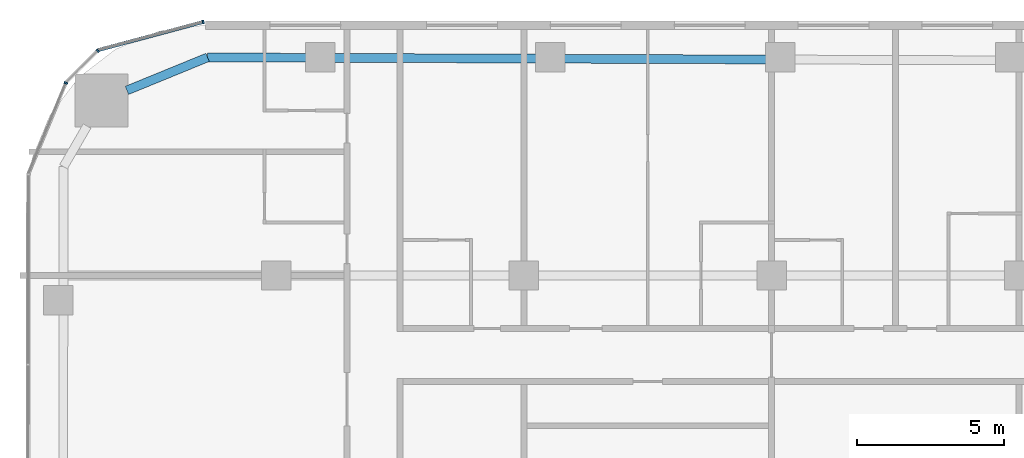
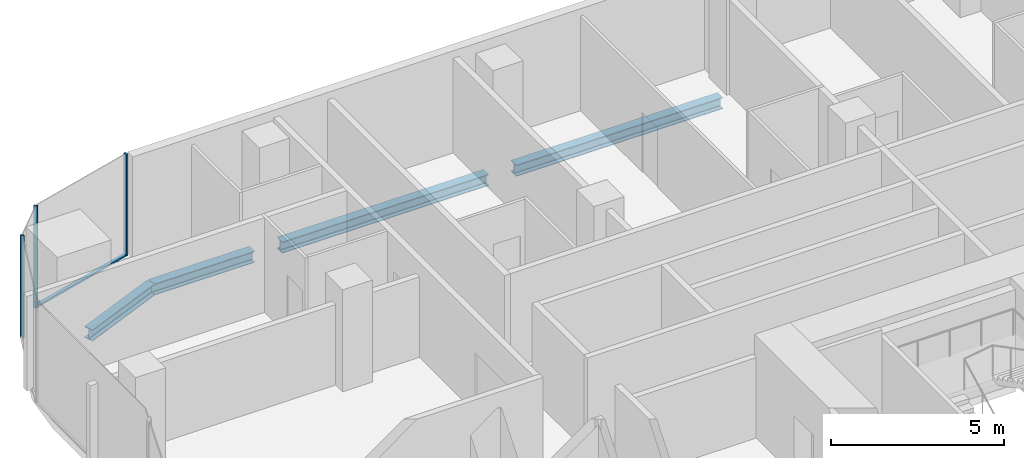
# One storey, part 10 of 26: 4 beams, 4 members, 3 elements without a shape of their own.
"""IFC4 building model written with IfcOpenShell, lengths in metres."""

from ifc_helpers import new_model, si_unit, direction, frame, origin, origin_2d, place, context, subcontext, project, spatial, rectangle, i_section, extrude, material, layer, layer_set, material_profile, profile_set, type_object, element, aggregate, save


model = new_model("IFC4")

# Units and contexts
model_context = context("Model", 3, precision=1e-05, world=origin(), true_north=direction((0.0, 1.0)))
body_context = subcontext(model_context, "Body", "Model", "MODEL_VIEW")
ifc_project = project(units=[si_unit("LENGTHUNIT", "METRE"), si_unit("AREAUNIT", "SQUARE_METRE"), si_unit("VOLUMEUNIT", "CUBIC_METRE"), si_unit("PLANEANGLEUNIT", "RADIAN"), si_unit("MASSUNIT", "GRAM", prefix="KILO")], contexts=[model_context])

# Site, building, storey
site_placement = place(None, origin())
site = spatial("IfcSite", under=ifc_project, at=site_placement, CompositionType="ELEMENT")
building_placement = place(site_placement, origin())
building = spatial("IfcBuilding", under=site, at=building_placement, Name="Marenta Gate Hotel Tower", CompositionType="ELEMENT")
storey_placement = place(building_placement, frame((0.0, 0.0, 79.699951171875)))
storey = spatial("IfcBuildingStorey", under=building, at=storey_placement, Name="L18", CompositionType="ELEMENT", Elevation=79.699951171875)

# Beams
ifc_material_1 = material(Name="Steel S355", Category="steel")
ifc_material_profile_1 = material_profile(ifc_material_1, i_section(OverallWidth=0.300048828125, OverallDepth=0.39990234375, WebThickness=0.013427734375, FlangeThickness=0.02392578125, FilletRadius=0.027099609375, at=origin_2d()), Name="HEB 400")
ifc_profile_set_1 = profile_set([ifc_material_profile_1], Name="Steel S355")
beam_type = type_object("IfcBeamType", Name="Edge beam HEB 400", PredefinedType="SPANDREL", material=ifc_profile_set_1)
beam_1_placement = place(storey_placement, frame((-26.072509765625, 31.47998046875, -0.4599609375), z_axis=(0.925545641603, 0.378636059177, 0.0), x_axis=(-0.378636059177, 0.925545641603, 0.0)))
element("IfcBeam", 1, at=beam_1_placement, inside=storey, type_object=beam_type, Name="L18-EB-12", PredefinedType="SPANDREL", context=body_context, shape_type="SweptSolid", body=[
    extrude(i_section(OverallWidth=0.300048828125, OverallDepth=0.39990234375, WebThickness=0.013427734375, FlangeThickness=0.02392578125, FilletRadius=0.027099609375, at=origin_2d()), origin(), (0.0, 0.0, 1.0), 2.958251953125),
])
beam_2_placement = place(storey_placement, frame((-23.33447265625, 32.60009765625, -0.4599609375), z_axis=(0.999992894549, -0.00376972818, 0.0), x_axis=(0.00376972818, 0.999992894549, 0.0)))
element("IfcBeam", 2, at=beam_2_placement, inside=storey, type_object=beam_type, Name="L18-EB-13", PredefinedType="SPANDREL", context=body_context, shape_type="SweptSolid", body=[
    extrude(i_section(OverallWidth=0.300048828125, OverallDepth=0.39990234375, WebThickness=0.013427734375, FlangeThickness=0.02392578125, FilletRadius=0.027099609375, at=origin_2d()), origin(), (0.0, 0.0, 1.0), 3.36767578125),
])
for number, where, z_axis, x_axis, name in (
    (3, (-19.046875, 32.583984375, -0.4599609375), (0.999993064268, -0.003724435008, 0.0), (0.003724435008, 0.999993064268, 0.0), "L18-EB-14"),
    (4, (-11.244140625, 32.554931640625, -0.4599609375), (0.999993064268, -0.003724435008, 0.0), (0.003724435008, 0.999993064268, 0.0), "L18-EB-15"),
):
    element("IfcBeam", number, at=place(storey_placement, frame(where, z_axis=z_axis, x_axis=x_axis)), inside=storey, type_object=beam_type, Name=name, PredefinedType="SPANDREL", context=body_context, shape_type="SweptSolid", body=[
        extrude(i_section(OverallWidth=0.300048828125, OverallDepth=0.39990234375, WebThickness=0.013427734375, FlangeThickness=0.02392578125, FilletRadius=0.027099609375, at=origin_2d()), origin(), (0.0, 0.0, 1.0), 6.8828125),
    ])

# Curtain wall, member
ifc_material_2 = material(Name="Tinted insulated glass in bronze anodised frame", Category="glass")
ifc_layer = layer(ifc_material_2, 0.1201171875)
ifc_layer_set = layer_set([ifc_layer], Name="Tinted insulated glass in bronze anodised frame")
curtain_wall_type = type_object("IfcCurtainWallType", Name="Tower unitised curtain wall CW1", PredefinedType="NOTDEFINED", material=ifc_layer_set)
curtain_wall_1_placement = place(storey_placement, origin())
curtain_wall_1 = element("IfcCurtainWall", 5, at=curtain_wall_1_placement, inside=storey, type_object=curtain_wall_type, Name="CW1 run G00", PredefinedType="NOTDEFINED")
ifc_material_3 = material(Name="Bronze anodised aluminium", Category="aluminium")
ifc_material_profile_2 = material_profile(ifc_material_3, rectangle(XDim=0.1201171875, YDim=0.06005859375, at=origin_2d()), Name="Mullion CW1 60x120 bronze anodised aluminium")
ifc_profile_set_2 = profile_set([ifc_material_profile_2], Name="Bronze anodised aluminium")
member_type_1 = type_object("IfcMemberType", Name="Mullion CW1 60x120 bronze anodised aluminium", PredefinedType="MULLION", material=ifc_profile_set_2)
member_1_placement = place(storey_placement, frame((-23.485595703125, 33.80322265625, 0.0), z_axis=(0.0, 0.0, 1.0), x_axis=(0.258801657317, -0.965930485164, 0.0)))
member_1 = element("IfcMember", 6, at=member_1_placement, type_object=member_type_1, Name="CW1 mullion 1", PredefinedType="MULLION", context=body_context, shape_type="SweptSolid", body=[
    extrude(rectangle(XDim=0.1201171875, YDim=0.06005859375, at=origin_2d()), origin(), (0.0, 0.0, 1.0), 3.60009765625),
])

curtain_wall_2_placement = place(storey_placement, origin())
curtain_wall_2 = element("IfcCurtainWall", 7, at=curtain_wall_2_placement, inside=storey, type_object=curtain_wall_type, Name="CW1 run G01", PredefinedType="NOTDEFINED")
member_2_placement = place(storey_placement, frame((-27.06103515625, 32.82958984375, 0.0), z_axis=(0.0, 0.0, 1.0), x_axis=(0.707106781187, -0.707106781187, 0.0)))
member_2 = element("IfcMember", 8, at=member_2_placement, type_object=member_type_1, Name="CW1 mullion 1", PredefinedType="MULLION", context=body_context, shape_type="SweptSolid", body=[
    extrude(rectangle(XDim=0.1201171875, YDim=0.06005859375, at=origin_2d()), origin(), (0.0, 0.0, 1.0), 3.60009765625),
])
aggregate(curtain_wall_2, [member_2])

curtain_wall_3_placement = place(storey_placement, origin())
curtain_wall_3 = element("IfcCurtainWall", 9, at=curtain_wall_3_placement, inside=storey, type_object=curtain_wall_type, Name="CW1 run G02", PredefinedType="NOTDEFINED")
member_3_placement = place(storey_placement, frame((-28.142333984375, 31.732177734375, 0.0), z_axis=(0.0, 0.0, 1.0), x_axis=(0.923885075314, -0.382670050581, 0.0)))
member_3 = element("IfcMember", 10, at=member_3_placement, type_object=member_type_1, Name="CW1 mullion 1", PredefinedType="MULLION", context=body_context, shape_type="SweptSolid", body=[
    extrude(rectangle(XDim=0.1201171875, YDim=0.06005859375, at=origin_2d()), origin(), (0.0, 0.0, 1.0), 3.60009765625),
])
aggregate(curtain_wall_3, [member_3])

# Member
ifc_material_4 = material(Name="Bronze anodised aluminium", Category="aluminium")
ifc_material_profile_3 = material_profile(ifc_material_4, rectangle(XDim=0.1201171875, YDim=0.06005859375, at=origin_2d()), Name="Transom CW1 60x120 bronze anodised aluminium")
ifc_profile_set_3 = profile_set([ifc_material_profile_3], Name="Bronze anodised aluminium")
member_type_2 = type_object("IfcMemberType", Name="Transom CW1 60x120 bronze anodised aluminium", PredefinedType="USERDEFINED", material=ifc_profile_set_3)
member_4_placement = place(storey_placement, frame((-23.514404296875, 33.79541015625, 0.030029296875), z_axis=(-0.965928942389, -0.258807415381, 0.0), x_axis=(0.258807415381, -0.965928942389, 0.0)))
member_4 = element("IfcMember", 11, at=member_4_placement, type_object=member_type_2, Name="CW1 transom 1.1", ObjectType="TRANSOM", PredefinedType="USERDEFINED", context=body_context, shape_type="SweptSolid", body=[
    extrude(rectangle(XDim=0.1201171875, YDim=0.06005859375, at=origin_2d()), origin(), (0.0, 0.0, 1.0), 3.649658203125),
])

aggregate(curtain_wall_1, [member_1, member_4])

save(model, "model.ifc")
